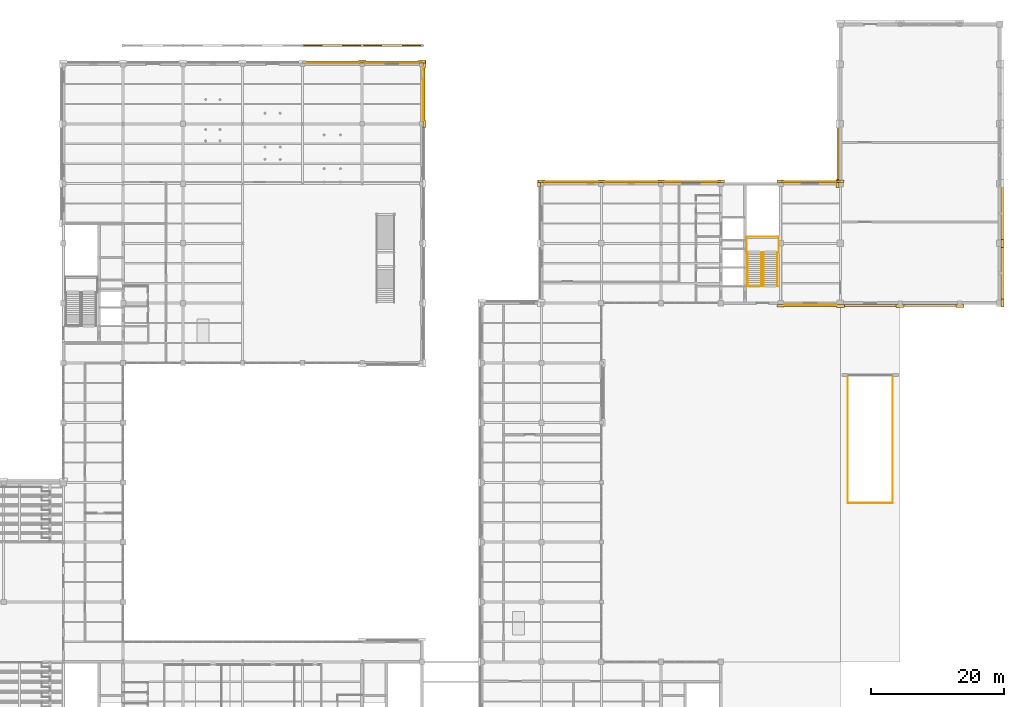
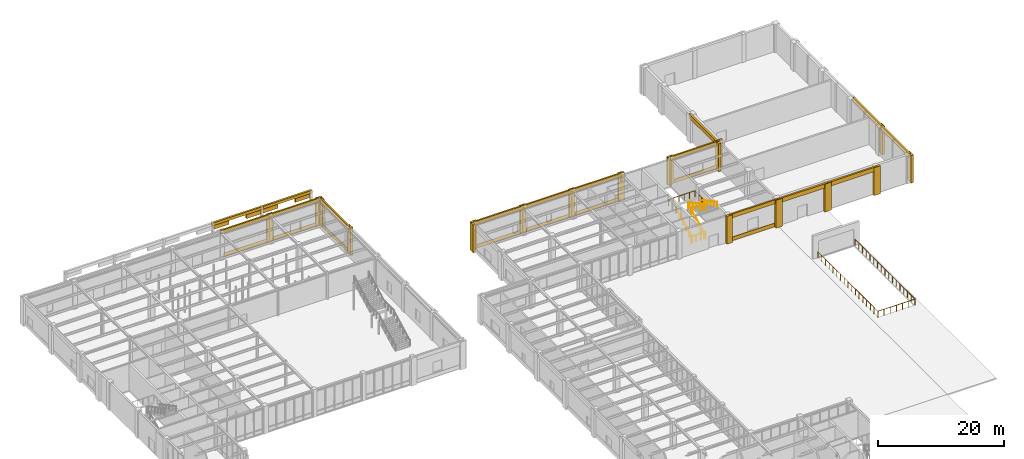
# One storey, part 76 of 77: 45 coverings, 6 railings.
"""IFC4 building model written with IfcOpenShell, lengths in metres."""

from ifc_helpers import new_model, si_unit, direction, frame, origin, origin_2d, place, context, subcontext, project, spatial, rectangle, circle, extrude, material, layer, layer_set, type_object, element, save


model = new_model("IFC4")

# Units and contexts
model_context = context("Model", 3, precision=1e-05, world=origin(), true_north=direction((0.0, 1.0)))
body_context = subcontext(model_context, "Body", "Model", "MODEL_VIEW")
ifc_project = project(units=[si_unit("LENGTHUNIT", "METRE"), si_unit("AREAUNIT", "SQUARE_METRE"), si_unit("VOLUMEUNIT", "CUBIC_METRE"), si_unit("PLANEANGLEUNIT", "RADIAN"), si_unit("MASSUNIT", "GRAM", prefix="KILO")], contexts=[model_context])

# Site, building, storey
site_placement = place(None, origin())
site = spatial("IfcSite", under=ifc_project, at=site_placement, CompositionType="ELEMENT")
building_placement = place(site_placement, origin())
building = spatial("IfcBuilding", under=site, at=building_placement, Name="Lykobir Media Centre", CompositionType="ELEMENT")
storey_placement = place(building_placement, origin())
storey = spatial("IfcBuildingStorey", under=building, at=storey_placement, Name="L00", CompositionType="ELEMENT", Elevation=0.0)

# Coverings
ifc_material_1 = material(Name="Honed Travertine Stone", Category="masonry")
ifc_layer = layer(ifc_material_1, 0.050048828125, Name="Honed Travertine Stone")
ifc_layer_set = layer_set([ifc_layer], Name="Honed Travertine Stone")
covering_type = type_object("IfcCoveringType", Name="CLD-TRAV", PredefinedType="CLADDING", material=ifc_layer_set)
covering_1_placement = place(storey_placement, frame((148.5, 71.639892578125, 4.56005859375), z_axis=(0.0, 0.0, 1.0), x_axis=(1.0, 0.0, 0.0)))
element("IfcCovering", 1, at=covering_1_placement, inside=storey, type_object=covering_type, Name="Acoustic hall cornice band 1", PredefinedType="CLADDING", context=body_context, shape_type="SweptSolid", body=[
    extrude(rectangle(XDim=9.0, YDim=0.340087890625, at=origin_2d()), origin(), (0.0, 0.0, 1.0), 0.840087890625),
])
for number, where, z_axis, x_axis, name in (
    (2, (144.0, 71.580078125, 0.0), (0.0, 0.0, 1.0), (1.0, 0.0, 0.0), "Stone pilaster 2"),
    (3, (153.0, 71.580078125, 0.0), (0.0, 0.0, 1.0), (1.0, 0.0, 0.0), "Stone pilaster 3"),
):
    element("IfcCovering", number, at=place(storey_placement, frame(where, z_axis=z_axis, x_axis=x_axis)), inside=storey, type_object=covering_type, Name=name, PredefinedType="CLADDING", context=body_context, shape_type="SweptSolid", body=[
        extrude(rectangle(XDim=1.179931640625, YDim=0.43994140625, at=origin_2d()), origin(), (0.0, 0.0, 1.0), 5.39990234375),
    ])
covering_2_placement = place(storey_placement, frame((157.5, 71.639892578125, 4.56005859375), z_axis=(0.0, 0.0, 1.0), x_axis=(1.0, 0.0, 0.0)))
element("IfcCovering", 4, at=covering_2_placement, inside=storey, type_object=covering_type, Name="Acoustic hall cornice band 4", PredefinedType="CLADDING", context=body_context, shape_type="SweptSolid", body=[
    extrude(rectangle(XDim=9.0, YDim=0.340087890625, at=origin_2d()), origin(), (0.0, 0.0, 1.0), 0.840087890625),
])
covering_3_placement = place(storey_placement, frame((162.0, 71.580078125, 0.0), z_axis=(0.0, 0.0, 1.0), x_axis=(1.0, 0.0, 0.0)))
element("IfcCovering", 5, at=covering_3_placement, inside=storey, type_object=covering_type, Name="Stone pilaster 5", PredefinedType="CLADDING", context=body_context, shape_type="SweptSolid", body=[
    extrude(rectangle(XDim=1.179931640625, YDim=0.43994140625, at=origin_2d()), origin(), (0.0, 0.0, 1.0), 5.39990234375),
])
covering_4_placement = place(storey_placement, frame((168.360107421875, 76.5, 4.56005859375), z_axis=(0.0, 0.0, 1.0), x_axis=(0.0, 1.0, 0.0)))
element("IfcCovering", 6, at=covering_4_placement, inside=storey, type_object=covering_type, Name="Acoustic hall cornice band 6", PredefinedType="CLADDING", context=body_context, shape_type="SweptSolid", body=[
    extrude(rectangle(XDim=9.0, YDim=0.340087890625, at=origin_2d()), origin(), (0.0, 0.0, 1.0), 0.840087890625),
])
for number, where, z_axis, x_axis, name in (
    (7, (168.419921875, 72.0, 0.0), (0.0, 0.0, 1.0), (0.0, 1.0, 0.0), "Stone pilaster 7"),
    (8, (168.419921875, 81.0, 0.0), (0.0, 0.0, 1.0), (0.0, 1.0, 0.0), "Stone pilaster 8"),
):
    element("IfcCovering", number, at=place(storey_placement, frame(where, z_axis=z_axis, x_axis=x_axis)), inside=storey, type_object=covering_type, Name=name, PredefinedType="CLADDING", context=body_context, shape_type="SweptSolid", body=[
        extrude(rectangle(XDim=1.179931640625, YDim=0.43994140625, at=origin_2d()), origin(), (0.0, 0.0, 1.0), 5.39990234375),
    ])
for number, where, z_axis, x_axis, name in (
    (9, (168.360107421875, 85.5, 4.56005859375), (0.0, 0.0, 1.0), (0.0, 1.0, 0.0), "Acoustic hall cornice band 9"),
    (10, (143.639892578125, 94.5, 4.56005859375), (0.0, 0.0, 1.0), (0.0, -1.0, 0.0), "Acoustic hall cornice band 20"),
):
    element("IfcCovering", number, at=place(storey_placement, frame(where, z_axis=z_axis, x_axis=x_axis)), inside=storey, type_object=covering_type, Name=name, PredefinedType="CLADDING", context=body_context, shape_type="SweptSolid", body=[
        extrude(rectangle(XDim=9.0, YDim=0.340087890625, at=origin_2d()), origin(), (0.0, 0.0, 1.0), 0.840087890625),
    ])
covering_5_placement = place(storey_placement, frame((143.580078125, 90.0, 0.0), z_axis=(0.0, 0.0, 1.0), x_axis=(0.0, -1.0, 0.0)))
element("IfcCovering", 11, at=covering_5_placement, inside=storey, type_object=covering_type, Name="Stone pilaster 22", PredefinedType="CLADDING", context=body_context, shape_type="SweptSolid", body=[
    extrude(rectangle(XDim=1.179931640625, YDim=0.43994140625, at=origin_2d()), origin(), (0.0, 0.0, 1.0), 5.39990234375),
])
for number, where, z_axis, x_axis, name in (
    (12, (108.0, 90.3798828125, 0.0), (0.0, 0.0, 1.0), (-1.0, 0.0, 0.0), "Travertine column pier 25"),
    (13, (99.0, 90.3798828125, 0.0), (0.0, 0.0, 1.0), (-1.0, 0.0, 0.0), "Travertine column pier 26"),
):
    element("IfcCovering", number, at=place(storey_placement, frame(where, z_axis=z_axis, x_axis=x_axis)), inside=storey, type_object=covering_type, Name=name, PredefinedType="CLADDING", context=body_context, shape_type="SweptSolid", body=[
        extrude(rectangle(XDim=1.06005859375, YDim=0.39990234375, at=origin_2d()), origin(), (0.0, 0.0, 1.0), 5.39990234375),
    ])
covering_6_placement = place(storey_placement, frame((103.5, 90.300048828125, 4.64013671875), z_axis=(0.0, 0.0, 1.0), x_axis=(-1.0, 0.0, 0.0)))
element("IfcCovering", 14, at=covering_6_placement, inside=storey, type_object=covering_type, Name="Travertine spandrel stringcourse 27", PredefinedType="CLADDING", context=body_context, shape_type="SweptSolid", body=[
    extrude(rectangle(XDim=9.0, YDim=0.280029296875, at=origin_2d()), origin(), (0.0, 0.0, 1.0), 0.760009765625),
])
covering_7_placement = place(storey_placement, frame((103.5, 90.23095703125, 0.080078125), z_axis=(0.0, 0.0, 1.0), x_axis=(-1.0, 0.0, 0.0)))
element("IfcCovering", 15, at=covering_7_placement, inside=storey, type_object=covering_type, Name="Facade spandrel apron 28", PredefinedType="CLADDING", context=body_context, shape_type="SweptSolid", body=[
    extrude(rectangle(XDim=7.8798828125, YDim=0.110107421875, at=origin_2d()), origin(), (0.0, 0.0, 1.0), 0.719970703125),
])
covering_8_placement = place(storey_placement, frame((117.0, 90.3798828125, 0.0), z_axis=(0.0, 0.0, 1.0), x_axis=(-1.0, 0.0, 0.0)))
element("IfcCovering", 16, at=covering_8_placement, inside=storey, type_object=covering_type, Name="Travertine column pier 29", PredefinedType="CLADDING", context=body_context, shape_type="SweptSolid", body=[
    extrude(rectangle(XDim=1.06005859375, YDim=0.39990234375, at=origin_2d()), origin(), (0.0, 0.0, 1.0), 5.39990234375),
])
covering_9_placement = place(storey_placement, frame((112.5, 90.300048828125, 4.64013671875), z_axis=(0.0, 0.0, 1.0), x_axis=(-1.0, 0.0, 0.0)))
element("IfcCovering", 17, at=covering_9_placement, inside=storey, type_object=covering_type, Name="Travertine spandrel stringcourse 30", PredefinedType="CLADDING", context=body_context, shape_type="SweptSolid", body=[
    extrude(rectangle(XDim=9.0, YDim=0.280029296875, at=origin_2d()), origin(), (0.0, 0.0, 1.0), 0.760009765625),
])
covering_10_placement = place(storey_placement, frame((112.5, 90.23095703125, 0.080078125), z_axis=(0.0, 0.0, 1.0), x_axis=(-1.0, 0.0, 0.0)))
element("IfcCovering", 18, at=covering_10_placement, inside=storey, type_object=covering_type, Name="Facade spandrel apron 31", PredefinedType="CLADDING", context=body_context, shape_type="SweptSolid", body=[
    extrude(rectangle(XDim=7.830078125, YDim=0.110107421875, at=origin_2d()), origin(), (0.0, 0.0, 1.0), 0.719970703125),
])
covering_11_placement = place(storey_placement, frame((126.0, 90.3798828125, 0.0), z_axis=(0.0, 0.0, 1.0), x_axis=(-1.0, 0.0, 0.0)))
element("IfcCovering", 19, at=covering_11_placement, inside=storey, type_object=covering_type, Name="Travertine column pier 32", PredefinedType="CLADDING", context=body_context, shape_type="SweptSolid", body=[
    extrude(rectangle(XDim=1.06005859375, YDim=0.39990234375, at=origin_2d()), origin(), (0.0, 0.0, 1.0), 5.39990234375),
])
covering_12_placement = place(storey_placement, frame((121.5, 90.300048828125, 4.64013671875), z_axis=(0.0, 0.0, 1.0), x_axis=(-1.0, 0.0, 0.0)))
element("IfcCovering", 20, at=covering_12_placement, inside=storey, type_object=covering_type, Name="Travertine spandrel stringcourse 33", PredefinedType="CLADDING", context=body_context, shape_type="SweptSolid", body=[
    extrude(rectangle(XDim=9.0, YDim=0.280029296875, at=origin_2d()), origin(), (0.0, 0.0, 1.0), 0.760009765625),
])
covering_13_placement = place(storey_placement, frame((121.5, 90.23095703125, 0.080078125), z_axis=(0.0, 0.0, 1.0), x_axis=(-1.0, 0.0, 0.0)))
element("IfcCovering", 21, at=covering_13_placement, inside=storey, type_object=covering_type, Name="Facade spandrel apron 34", PredefinedType="CLADDING", context=body_context, shape_type="SweptSolid", body=[
    extrude(rectangle(XDim=7.830078125, YDim=0.110107421875, at=origin_2d()), origin(), (0.0, 0.0, 1.0), 0.719970703125),
])
for number, where, z_axis, x_axis, name in (
    (22, (144.0, 90.3798828125, 0.0), (0.0, 0.0, 1.0), (-1.0, 0.0, 0.0), "Travertine column pier 35"),
    (23, (135.0, 90.3798828125, 0.0), (0.0, 0.0, 1.0), (-1.0, 0.0, 0.0), "Travertine column pier 36"),
):
    element("IfcCovering", number, at=place(storey_placement, frame(where, z_axis=z_axis, x_axis=x_axis)), inside=storey, type_object=covering_type, Name=name, PredefinedType="CLADDING", context=body_context, shape_type="SweptSolid", body=[
        extrude(rectangle(XDim=1.06005859375, YDim=0.39990234375, at=origin_2d()), origin(), (0.0, 0.0, 1.0), 5.39990234375),
    ])
covering_14_placement = place(storey_placement, frame((139.5, 90.300048828125, 4.64013671875), z_axis=(0.0, 0.0, 1.0), x_axis=(-1.0, 0.0, 0.0)))
element("IfcCovering", 24, at=covering_14_placement, inside=storey, type_object=covering_type, Name="Travertine spandrel stringcourse 37", PredefinedType="CLADDING", context=body_context, shape_type="SweptSolid", body=[
    extrude(rectangle(XDim=9.0, YDim=0.280029296875, at=origin_2d()), origin(), (0.0, 0.0, 1.0), 0.760009765625),
])
covering_15_placement = place(storey_placement, frame((139.5, 90.23095703125, 0.080078125), z_axis=(0.0, 0.0, 1.0), x_axis=(-1.0, 0.0, 0.0)))
element("IfcCovering", 25, at=covering_15_placement, inside=storey, type_object=covering_type, Name="Facade spandrel apron 38", PredefinedType="CLADDING", context=body_context, shape_type="SweptSolid", body=[
    extrude(rectangle(XDim=7.72998046875, YDim=0.110107421875, at=origin_2d()), origin(), (0.0, 0.0, 1.0), 0.719970703125),
])
for number, where, z_axis, x_axis, name in (
    (26, (98.6201171875, 90.0, 0.0), (0.0, 0.0, 1.0), (0.0, -1.0, 0.0), "Travertine column pier 43"),
    (27, (135.0, 71.6201171875, 0.0), (0.0, 0.0, 1.0), (1.0, 0.0, 0.0), "Travertine column pier 89"),
):
    element("IfcCovering", number, at=place(storey_placement, frame(where, z_axis=z_axis, x_axis=x_axis)), inside=storey, type_object=covering_type, Name=name, PredefinedType="CLADDING", context=body_context, shape_type="SweptSolid", body=[
        extrude(rectangle(XDim=1.06005859375, YDim=0.39990234375, at=origin_2d()), origin(), (0.0, 0.0, 1.0), 5.39990234375),
    ])
covering_16_placement = place(storey_placement, frame((139.5, 71.699951171875, 4.64013671875), z_axis=(0.0, 0.0, 1.0), x_axis=(1.0, 0.0, 0.0)))
element("IfcCovering", 28, at=covering_16_placement, inside=storey, type_object=covering_type, Name="Travertine spandrel stringcourse 90", PredefinedType="CLADDING", context=body_context, shape_type="SweptSolid", body=[
    extrude(rectangle(XDim=9.0, YDim=0.280029296875, at=origin_2d()), origin(), (0.0, 0.0, 1.0), 0.760009765625),
])
covering_17_placement = place(storey_placement, frame((139.5, 71.76904296875, 0.080078125), z_axis=(0.0, 0.0, 1.0), x_axis=(1.0, 0.0, 0.0)))
element("IfcCovering", 29, at=covering_17_placement, inside=storey, type_object=covering_type, Name="Facade spandrel apron 91", PredefinedType="CLADDING", context=body_context, shape_type="SweptSolid", body=[
    extrude(rectangle(XDim=7.72998046875, YDim=0.110107421875, at=origin_2d()), origin(), (0.0, 0.0, 1.0), 0.719970703125),
])
for number, where, z_axis, x_axis, name in (
    (30, (81.3798828125, 99.0, 0.0), (0.0, 0.0, 1.0), (0.0, 1.0, 0.0), "Travertine column pier 110"),
    (31, (81.3798828125, 108.0, 0.0), (0.0, 0.0, 1.0), (0.0, 1.0, 0.0), "Travertine column pier 113"),
):
    element("IfcCovering", number, at=place(storey_placement, frame(where, z_axis=z_axis, x_axis=x_axis)), inside=storey, type_object=covering_type, Name=name, PredefinedType="CLADDING", context=body_context, shape_type="SweptSolid", body=[
        extrude(rectangle(XDim=1.06005859375, YDim=0.39990234375, at=origin_2d()), origin(), (0.0, 0.0, 1.0), 5.39990234375),
    ])
covering_18_placement = place(storey_placement, frame((81.300048828125, 103.5, 4.64013671875), z_axis=(0.0, 0.0, 1.0), x_axis=(0.0, 1.0, 0.0)))
element("IfcCovering", 32, at=covering_18_placement, inside=storey, type_object=covering_type, Name="Travertine spandrel stringcourse 114", PredefinedType="CLADDING", context=body_context, shape_type="SweptSolid", body=[
    extrude(rectangle(XDim=9.0, YDim=0.280029296875, at=origin_2d()), origin(), (0.0, 0.0, 1.0), 0.760009765625),
])
covering_19_placement = place(storey_placement, frame((81.23095703125, 103.5, 0.080078125), z_axis=(0.0, 0.0, 1.0), x_axis=(0.0, 1.0, 0.0)))
element("IfcCovering", 33, at=covering_19_placement, inside=storey, type_object=covering_type, Name="Facade spandrel apron 115", PredefinedType="CLADDING", context=body_context, shape_type="SweptSolid", body=[
    extrude(rectangle(XDim=7.929931640625, YDim=0.110107421875, at=origin_2d()), origin(), (0.0, 0.0, 1.0), 0.719970703125),
])
covering_20_placement = place(storey_placement, frame((72.0, 108.3798828125, 0.0), z_axis=(0.0, 0.0, 1.0), x_axis=(-1.0, 0.0, 0.0)))
element("IfcCovering", 34, at=covering_20_placement, inside=storey, type_object=covering_type, Name="Travertine column pier 129", PredefinedType="CLADDING", context=body_context, shape_type="SweptSolid", body=[
    extrude(rectangle(XDim=1.06005859375, YDim=0.39990234375, at=origin_2d()), origin(), (0.0, 0.0, 1.0), 5.39990234375),
])
covering_21_placement = place(storey_placement, frame((67.5, 108.300048828125, 4.64013671875), z_axis=(0.0, 0.0, 1.0), x_axis=(-1.0, 0.0, 0.0)))
element("IfcCovering", 35, at=covering_21_placement, inside=storey, type_object=covering_type, Name="Travertine spandrel stringcourse 130", PredefinedType="CLADDING", context=body_context, shape_type="SweptSolid", body=[
    extrude(rectangle(XDim=9.0, YDim=0.280029296875, at=origin_2d()), origin(), (0.0, 0.0, 1.0), 0.760009765625),
])
covering_22_placement = place(storey_placement, frame((67.5, 108.23095703125, 0.080078125), z_axis=(0.0, 0.0, 1.0), x_axis=(-1.0, 0.0, 0.0)))
element("IfcCovering", 36, at=covering_22_placement, inside=storey, type_object=covering_type, Name="Facade spandrel apron 131", PredefinedType="CLADDING", context=body_context, shape_type="SweptSolid", body=[
    extrude(rectangle(XDim=7.929931640625, YDim=0.110107421875, at=origin_2d()), origin(), (0.0, 0.0, 1.0), 0.719970703125),
])
covering_23_placement = place(storey_placement, frame((81.0, 108.3798828125, 0.0), z_axis=(0.0, 0.0, 1.0), x_axis=(-1.0, 0.0, 0.0)))
element("IfcCovering", 37, at=covering_23_placement, inside=storey, type_object=covering_type, Name="Travertine column pier 132", PredefinedType="CLADDING", context=body_context, shape_type="SweptSolid", body=[
    extrude(rectangle(XDim=1.06005859375, YDim=0.39990234375, at=origin_2d()), origin(), (0.0, 0.0, 1.0), 5.39990234375),
])
covering_24_placement = place(storey_placement, frame((76.5, 108.300048828125, 4.64013671875), z_axis=(0.0, 0.0, 1.0), x_axis=(-1.0, 0.0, 0.0)))
element("IfcCovering", 38, at=covering_24_placement, inside=storey, type_object=covering_type, Name="Travertine spandrel stringcourse 133", PredefinedType="CLADDING", context=body_context, shape_type="SweptSolid", body=[
    extrude(rectangle(XDim=9.0, YDim=0.280029296875, at=origin_2d()), origin(), (0.0, 0.0, 1.0), 0.760009765625),
])
covering_25_placement = place(storey_placement, frame((76.5, 108.23095703125, 0.080078125), z_axis=(0.0, 0.0, 1.0), x_axis=(-1.0, 0.0, 0.0)))
element("IfcCovering", 39, at=covering_25_placement, inside=storey, type_object=covering_type, Name="Facade spandrel apron 134", PredefinedType="CLADDING", context=body_context, shape_type="SweptSolid", body=[
    extrude(rectangle(XDim=7.929931640625, YDim=0.110107421875, at=origin_2d()), origin(), (0.0, 0.0, 1.0), 0.719970703125),
])
covering_26_placement = place(storey_placement, frame((67.5, 110.800048828125, 4.830078125), z_axis=(0.0, 0.0, 1.0), x_axis=(1.0, 0.0, 0.0)))
element("IfcCovering", 40, at=covering_26_placement, inside=storey, type_object=covering_type, Name="North Revak entablature 984", PredefinedType="CLADDING", context=body_context, shape_type="SweptSolid", body=[
    extrude(rectangle(XDim=9.39990234375, YDim=0.340087890625, at=origin_2d()), origin(), (0.0, 0.0, 1.0), 0.5400390625),
])
for number, where, z_axis, x_axis, name in (
    (41, (64.550048828125, 110.800048828125, 4.0498046875), (0.0, 0.0, 1.0), (1.0, 0.0, 0.0), "North Revak pointed arch haunch 985"),
    (42, (70.449951171875, 110.800048828125, 4.0498046875), (0.0, 0.0, 1.0), (1.0, 0.0, 0.0), "North Revak pointed arch haunch 986"),
):
    element("IfcCovering", number, at=place(storey_placement, frame(where, z_axis=z_axis, x_axis=x_axis)), inside=storey, type_object=covering_type, Name=name, PredefinedType="CLADDING", context=body_context, shape_type="SweptSolid", body=[
        extrude(rectangle(XDim=2.699951171875, YDim=0.300048828125, at=origin_2d()), origin(), (0.0, 0.0, 1.0), 0.800048828125),
    ])
covering_27_placement = place(storey_placement, frame((76.5, 110.800048828125, 4.830078125), z_axis=(0.0, 0.0, 1.0), x_axis=(1.0, 0.0, 0.0)))
element("IfcCovering", 43, at=covering_27_placement, inside=storey, type_object=covering_type, Name="North Revak entablature 987", PredefinedType="CLADDING", context=body_context, shape_type="SweptSolid", body=[
    extrude(rectangle(XDim=9.39990234375, YDim=0.340087890625, at=origin_2d()), origin(), (0.0, 0.0, 1.0), 0.5400390625),
])
for number, where, z_axis, x_axis, name in (
    (44, (73.550048828125, 110.800048828125, 4.0498046875), (0.0, 0.0, 1.0), (1.0, 0.0, 0.0), "North Revak pointed arch haunch 988"),
    (45, (79.449951171875, 110.800048828125, 4.0498046875), (0.0, 0.0, 1.0), (1.0, 0.0, 0.0), "North Revak pointed arch haunch 989"),
):
    element("IfcCovering", number, at=place(storey_placement, frame(where, z_axis=z_axis, x_axis=x_axis)), inside=storey, type_object=covering_type, Name=name, PredefinedType="CLADDING", context=body_context, shape_type="SweptSolid", body=[
        extrude(rectangle(XDim=2.699951171875, YDim=0.300048828125, at=origin_2d()), origin(), (0.0, 0.0, 1.0), 0.800048828125),
    ])

# Railings
ifc_material_2 = material(Name="Steel S355", Category="steel")
railing_type_1 = type_object("IfcRailingType", Name="GR-1200", PredefinedType="BALUSTRADE", material=ifc_material_2)
railing_1_placement = place(storey_placement, frame((129.8701171875, 74.6298828125, 0.0)))
element("IfcRailing", 46, at=railing_1_placement, inside=storey, type_object=railing_type_1, Name="ST-4 L00 arrival well guard", PredefinedType="BALUSTRADE", context=body_context, shape_type="SweptSolid", body=[
    extrude(circle(Radius=0.02392578125, at=origin_2d()), frame((0.0, 0.0, 1.17578125), z_axis=(1.0, 0.0, 0.0), x_axis=(0.0, 1.0, 0.0)), (0.0, 0.0, 1.0), 2.539794921875),
    extrude(circle(Radius=0.02099609375, at=origin_2d()), origin(), (0.0, 0.0, 1.0), 1.15185546875),
    extrude(circle(Radius=0.02099609375, at=origin_2d()), frame((0.8466796875, 0.0, 0.0)), (0.0, 0.0, 1.0), 1.15185546875),
    extrude(circle(Radius=0.02099609375, at=origin_2d()), frame((1.693115234375, 0.0, 0.0)), (0.0, 0.0, 1.0), 1.15185546875),
    extrude(circle(Radius=0.02099609375, at=origin_2d()), frame((2.539794921875, 0.0, 0.0)), (0.0, 0.0, 1.0), 1.15185546875),
])
railing_2_placement = place(storey_placement, frame((132.1298828125, 74.530029296875, 0.0)))
element("IfcRailing", 47, at=railing_2_placement, inside=storey, type_object=railing_type_1, Name="ST-4 L00 inner well and slot guard", PredefinedType="BALUSTRADE", context=body_context, shape_type="SweptSolid", body=[
    extrude(circle(Radius=0.02392578125, at=origin_2d()), frame((0.0, 0.0, 1.17578125), z_axis=(0.0, 0.883785858079, 0.467891608238), x_axis=(-1.0, 0.0, 0.0)), (0.0, 0.0, 1.0), 5.7705078125),
    extrude(circle(Radius=0.02392578125, at=origin_2d()), frame((0.0, 5.099853515625, 3.8759765625), z_axis=(1.0, 0.0, 0.0), x_axis=(0.0, 1.0, 0.0)), (0.0, 0.0, 1.0), 0.280029296875),
    extrude(circle(Radius=0.02392578125, at=origin_2d()), frame((0.280029296875, 5.099853515625, 3.8759765625), z_axis=(0.0, -0.883785858079, 0.467891608238), x_axis=(1.0, 0.0, 0.0)), (0.0, 0.0, 1.0), 5.7705078125),
    extrude(circle(Radius=0.02099609375, at=origin_2d()), origin(), (0.0, 0.0, 1.0), 1.15185546875),
    extrude(circle(Radius=0.02099609375, at=origin_2d()), frame((0.0, 1.02001953125, 0.5400390625)), (0.0, 0.0, 1.0), 1.15185546875),
    extrude(circle(Radius=0.02099609375, at=origin_2d()), frame((0.0, 2.0400390625, 1.080078125)), (0.0, 0.0, 1.0), 1.15185546875),
    extrude(circle(Radius=0.02099609375, at=origin_2d()), frame((0.0, 3.059814453125, 1.619873046875)), (0.0, 0.0, 1.0), 1.15185546875),
    extrude(circle(Radius=0.02099609375, at=origin_2d()), frame((0.0, 4.079833984375, 2.159912109375)), (0.0, 0.0, 1.0), 1.15185546875),
    extrude(circle(Radius=0.02099609375, at=origin_2d()), frame((0.0, 5.099853515625, 2.699951171875)), (0.0, 0.0, 1.0), 1.15185546875),
    extrude(circle(Radius=0.02099609375, at=origin_2d()), frame((0.280029296875, 5.099853515625, 2.699951171875)), (0.0, 0.0, 1.0), 1.15185546875),
    extrude(circle(Radius=0.02099609375, at=origin_2d()), frame((0.280029296875, 4.079833984375, 3.239990234375)), (0.0, 0.0, 1.0), 1.15185546875),
    extrude(circle(Radius=0.02099609375, at=origin_2d()), frame((0.280029296875, 3.059814453125, 3.780029296875)), (0.0, 0.0, 1.0), 1.15185546875),
    extrude(circle(Radius=0.02099609375, at=origin_2d()), frame((0.280029296875, 2.0400390625, 4.31982421875)), (0.0, 0.0, 1.0), 1.15185546875),
    extrude(circle(Radius=0.02099609375, at=origin_2d()), frame((0.280029296875, 1.02001953125, 4.85986328125)), (0.0, 0.0, 1.0), 1.15185546875),
    extrude(circle(Radius=0.02099609375, at=origin_2d()), frame((0.280029296875, 0.0, 5.39990234375)), (0.0, 0.0, 1.0), 1.15185546875),
])
railing_3_placement = place(storey_placement, frame((129.989990234375, 79.590087890625, 2.699951171875)))
element("IfcRailing", 48, at=railing_3_placement, inside=storey, type_object=railing_type_1, Name="ST-4 L00 half-landing perimeter guard", PredefinedType="BALUSTRADE", context=body_context, shape_type="SweptSolid", body=[
    extrude(circle(Radius=0.02392578125, at=origin_2d()), frame((0.0, 0.0, 1.17578125), z_axis=(-1.0, 0.0, 0.0), x_axis=(0.0, -1.0, 0.0)), (0.0, 0.0, 1.0), 0.110107421875),
    extrude(circle(Radius=0.02392578125, at=origin_2d()), frame((-0.110107421875, 0.0, 1.17578125), z_axis=(0.0, 1.0, 0.0), x_axis=(-1.0, 0.0, 0.0)), (0.0, 0.0, 1.0), 2.39990234375),
    extrude(circle(Radius=0.02392578125, at=origin_2d()), frame((-0.110107421875, 2.39990234375, 1.17578125), z_axis=(1.0, 0.0, 0.0), x_axis=(0.0, 1.0, 0.0)), (0.0, 0.0, 1.0), 4.840087890625),
    extrude(circle(Radius=0.02392578125, at=origin_2d()), frame((4.72998046875, 2.39990234375, 1.17578125), z_axis=(0.0, -1.0, 0.0), x_axis=(1.0, 0.0, 0.0)), (0.0, 0.0, 1.0), 2.39990234375),
    extrude(circle(Radius=0.02392578125, at=origin_2d()), frame((4.72998046875, 0.0, 1.17578125), z_axis=(-1.0, 0.0, 0.0), x_axis=(0.0, -1.0, 0.0)), (0.0, 0.0, 1.0), 0.169921875),
    extrude(circle(Radius=0.02099609375, at=origin_2d()), origin(), (0.0, 0.0, 1.0), 1.15185546875),
    extrude(circle(Radius=0.02099609375, at=origin_2d()), frame((-0.110107421875, 0.0, 0.0)), (0.0, 0.0, 1.0), 1.15185546875),
    extrude(circle(Radius=0.02099609375, at=origin_2d()), frame((-0.110107421875, 1.199951171875, 0.0)), (0.0, 0.0, 1.0), 1.15185546875),
    extrude(circle(Radius=0.02099609375, at=origin_2d()), frame((-0.110107421875, 2.39990234375, 0.0)), (0.0, 0.0, 1.0), 1.15185546875),
    extrude(circle(Radius=0.02099609375, at=origin_2d()), frame((0.85791015625, 2.39990234375, 0.0)), (0.0, 0.0, 1.0), 1.15185546875),
    extrude(circle(Radius=0.02099609375, at=origin_2d()), frame((1.825927734375, 2.39990234375, 0.0)), (0.0, 0.0, 1.0), 1.15185546875),
    extrude(circle(Radius=0.02099609375, at=origin_2d()), frame((2.7939453125, 2.39990234375, 0.0)), (0.0, 0.0, 1.0), 1.15185546875),
    extrude(circle(Radius=0.02099609375, at=origin_2d()), frame((3.761962890625, 2.39990234375, 0.0)), (0.0, 0.0, 1.0), 1.15185546875),
    extrude(circle(Radius=0.02099609375, at=origin_2d()), frame((4.72998046875, 2.39990234375, 0.0)), (0.0, 0.0, 1.0), 1.15185546875),
    extrude(circle(Radius=0.02099609375, at=origin_2d()), frame((4.72998046875, 1.199951171875, 0.0)), (0.0, 0.0, 1.0), 1.15185546875),
    extrude(circle(Radius=0.02099609375, at=origin_2d()), frame((4.72998046875, 0.0, 0.0)), (0.0, 0.0, 1.0), 1.15185546875),
    extrude(circle(Radius=0.02099609375, at=origin_2d()), frame((4.56005859375, 0.0, 0.0)), (0.0, 0.0, 1.0), 1.15185546875),
])
railing_type_2 = type_object("IfcRailingType", Name="GR-EXT-1220", PredefinedType="BALUSTRADE", material=ifc_material_2)
railing_4_placement = place(storey_placement, frame((145.10009765625, 60.949951171875, 0.0)))
element("IfcRailing", 49, at=railing_4_placement, inside=storey, type_object=railing_type_2, Name="Service apron ramp well balustrade", PredefinedType="BALUSTRADE", context=body_context, shape_type="SweptSolid", body=[
    extrude(circle(Radius=0.02392578125, at=origin_2d()), frame((0.0, 0.0, 1.19580078125), z_axis=(0.0, -1.0, 0.0), x_axis=(1.0, 0.0, 0.0)), (0.0, 0.0, 1.0), 19.030029296875),
    extrude(circle(Radius=0.02392578125, at=origin_2d()), frame((0.0, -19.030029296875, 1.19580078125), z_axis=(1.0, 0.0, 0.0), x_axis=(0.0, 1.0, 0.0)), (0.0, 0.0, 1.0), 6.7998046875),
    extrude(circle(Radius=0.02392578125, at=origin_2d()), frame((6.7998046875, -19.030029296875, 1.19580078125), z_axis=(0.0, 1.0, 0.0), x_axis=(-1.0, 0.0, 0.0)), (0.0, 0.0, 1.0), 19.030029296875),
    extrude(circle(Radius=0.02099609375, at=origin_2d()), origin(), (0.0, 0.0, 1.0), 1.171875),
    extrude(circle(Radius=0.02099609375, at=origin_2d()), frame((0.0, -1.189453125, 0.0)), (0.0, 0.0, 1.0), 1.171875),
    extrude(circle(Radius=0.02099609375, at=origin_2d()), frame((0.0, -2.378662109375, 0.0)), (0.0, 0.0, 1.0), 1.171875),
    extrude(circle(Radius=0.02099609375, at=origin_2d()), frame((0.0, -3.568115234375, 0.0)), (0.0, 0.0, 1.0), 1.171875),
    extrude(circle(Radius=0.02099609375, at=origin_2d()), frame((0.0, -4.757568359375, 0.0)), (0.0, 0.0, 1.0), 1.171875),
    extrude(circle(Radius=0.02099609375, at=origin_2d()), frame((0.0, -5.94677734375, 0.0)), (0.0, 0.0, 1.0), 1.171875),
    extrude(circle(Radius=0.02099609375, at=origin_2d()), frame((0.0, -7.13623046875, 0.0)), (0.0, 0.0, 1.0), 1.171875),
    extrude(circle(Radius=0.02099609375, at=origin_2d()), frame((0.0, -8.32568359375, 0.0)), (0.0, 0.0, 1.0), 1.171875),
    extrude(circle(Radius=0.02099609375, at=origin_2d()), frame((0.0, -9.51513671875, 0.0)), (0.0, 0.0, 1.0), 1.171875),
    extrude(circle(Radius=0.02099609375, at=origin_2d()), frame((0.0, -10.704345703125, 0.0)), (0.0, 0.0, 1.0), 1.171875),
    extrude(circle(Radius=0.02099609375, at=origin_2d()), frame((0.0, -11.893798828125, 0.0)), (0.0, 0.0, 1.0), 1.171875),
    extrude(circle(Radius=0.02099609375, at=origin_2d()), frame((0.0, -13.083251953125, 0.0)), (0.0, 0.0, 1.0), 1.171875),
    extrude(circle(Radius=0.02099609375, at=origin_2d()), frame((0.0, -14.2724609375, 0.0)), (0.0, 0.0, 1.0), 1.171875),
    extrude(circle(Radius=0.02099609375, at=origin_2d()), frame((0.0, -15.4619140625, 0.0)), (0.0, 0.0, 1.0), 1.171875),
    extrude(circle(Radius=0.02099609375, at=origin_2d()), frame((0.0, -16.6513671875, 0.0)), (0.0, 0.0, 1.0), 1.171875),
    extrude(circle(Radius=0.02099609375, at=origin_2d()), frame((0.0, -17.840576171875, 0.0)), (0.0, 0.0, 1.0), 1.171875),
    extrude(circle(Radius=0.02099609375, at=origin_2d()), frame((0.0, -19.030029296875, 0.0)), (0.0, 0.0, 1.0), 1.171875),
    extrude(circle(Radius=0.02099609375, at=origin_2d()), frame((1.13330078125, -19.030029296875, 0.0)), (0.0, 0.0, 1.0), 1.171875),
    extrude(circle(Radius=0.02099609375, at=origin_2d()), frame((2.2666015625, -19.030029296875, 0.0)), (0.0, 0.0, 1.0), 1.171875),
    extrude(circle(Radius=0.02099609375, at=origin_2d()), frame((3.39990234375, -19.030029296875, 0.0)), (0.0, 0.0, 1.0), 1.171875),
    extrude(circle(Radius=0.02099609375, at=origin_2d()), frame((4.533203125, -19.030029296875, 0.0)), (0.0, 0.0, 1.0), 1.171875),
    extrude(circle(Radius=0.02099609375, at=origin_2d()), frame((5.66650390625, -19.030029296875, 0.0)), (0.0, 0.0, 1.0), 1.171875),
    extrude(circle(Radius=0.02099609375, at=origin_2d()), frame((6.7998046875, -19.030029296875, 0.0)), (0.0, 0.0, 1.0), 1.171875),
    extrude(circle(Radius=0.02099609375, at=origin_2d()), frame((6.7998046875, -17.840576171875, 0.0)), (0.0, 0.0, 1.0), 1.171875),
    extrude(circle(Radius=0.02099609375, at=origin_2d()), frame((6.7998046875, -16.6513671875, 0.0)), (0.0, 0.0, 1.0), 1.171875),
    extrude(circle(Radius=0.02099609375, at=origin_2d()), frame((6.7998046875, -15.4619140625, 0.0)), (0.0, 0.0, 1.0), 1.171875),
    extrude(circle(Radius=0.02099609375, at=origin_2d()), frame((6.7998046875, -14.2724609375, 0.0)), (0.0, 0.0, 1.0), 1.171875),
    extrude(circle(Radius=0.02099609375, at=origin_2d()), frame((6.7998046875, -13.083251953125, 0.0)), (0.0, 0.0, 1.0), 1.171875),
    extrude(circle(Radius=0.02099609375, at=origin_2d()), frame((6.7998046875, -11.893798828125, 0.0)), (0.0, 0.0, 1.0), 1.171875),
    extrude(circle(Radius=0.02099609375, at=origin_2d()), frame((6.7998046875, -10.704345703125, 0.0)), (0.0, 0.0, 1.0), 1.171875),
    extrude(circle(Radius=0.02099609375, at=origin_2d()), frame((6.7998046875, -9.51513671875, 0.0)), (0.0, 0.0, 1.0), 1.171875),
    extrude(circle(Radius=0.02099609375, at=origin_2d()), frame((6.7998046875, -8.32568359375, 0.0)), (0.0, 0.0, 1.0), 1.171875),
    extrude(circle(Radius=0.02099609375, at=origin_2d()), frame((6.7998046875, -7.13623046875, 0.0)), (0.0, 0.0, 1.0), 1.171875),
    extrude(circle(Radius=0.02099609375, at=origin_2d()), frame((6.7998046875, -5.94677734375, 0.0)), (0.0, 0.0, 1.0), 1.171875),
    extrude(circle(Radius=0.02099609375, at=origin_2d()), frame((6.7998046875, -4.757568359375, 0.0)), (0.0, 0.0, 1.0), 1.171875),
    extrude(circle(Radius=0.02099609375, at=origin_2d()), frame((6.7998046875, -3.568115234375, 0.0)), (0.0, 0.0, 1.0), 1.171875),
    extrude(circle(Radius=0.02099609375, at=origin_2d()), frame((6.7998046875, -2.378662109375, 0.0)), (0.0, 0.0, 1.0), 1.171875),
    extrude(circle(Radius=0.02099609375, at=origin_2d()), frame((6.7998046875, -1.189453125, 0.0)), (0.0, 0.0, 1.0), 1.171875),
    extrude(circle(Radius=0.02099609375, at=origin_2d()), frame((6.7998046875, 0.0, 0.0)), (0.0, 0.0, 1.0), 1.171875),
])
railing_type_3 = type_object("IfcRailingType", Name="HR-0900", PredefinedType="HANDRAIL", material=ifc_material_2)
railing_5_placement = place(storey_placement, frame((130.030029296875, 74.530029296875, 0.0)))
element("IfcRailing", 50, at=railing_5_placement, inside=storey, type_object=railing_type_3, Name="ST-4 L00 F1 wall handrail", PredefinedType="HANDRAIL", context=body_context, shape_type="SweptSolid", body=[
    extrude(circle(Radius=0.02392578125, at=origin_2d()), frame((0.0, 0.0, 0.8759765625), z_axis=(0.0, 0.883785858079, 0.467891608238), x_axis=(-1.0, 0.0, 0.0)), (0.0, 0.0, 1.0), 5.7705078125),
    extrude(circle(Radius=0.02099609375, at=origin_2d()), origin(), (0.0, 0.0, 1.0), 0.851806640625),
    extrude(circle(Radius=0.02099609375, at=origin_2d()), frame((0.0, 1.02001953125, 0.5400390625)), (0.0, 0.0, 1.0), 0.851806640625),
    extrude(circle(Radius=0.02099609375, at=origin_2d()), frame((0.0, 2.0400390625, 1.080078125)), (0.0, 0.0, 1.0), 0.851806640625),
    extrude(circle(Radius=0.02099609375, at=origin_2d()), frame((0.0, 3.059814453125, 1.619873046875)), (0.0, 0.0, 1.0), 0.851806640625),
    extrude(circle(Radius=0.02099609375, at=origin_2d()), frame((0.0, 4.079833984375, 2.159912109375)), (0.0, 0.0, 1.0), 0.851806640625),
    extrude(circle(Radius=0.02099609375, at=origin_2d()), frame((0.0, 5.099853515625, 2.699951171875)), (0.0, 0.0, 1.0), 0.851806640625),
])
railing_6_placement = place(storey_placement, frame((134.510009765625, 79.6298828125, 2.699951171875)))
element("IfcRailing", 51, at=railing_6_placement, inside=storey, type_object=railing_type_3, Name="ST-4 L00 F2 wall handrail", PredefinedType="HANDRAIL", context=body_context, shape_type="SweptSolid", body=[
    extrude(circle(Radius=0.02392578125, at=origin_2d()), frame((0.0, 0.0, 0.8759765625), z_axis=(0.0, -0.883785858079, 0.467891608238), x_axis=(1.0, 0.0, 0.0)), (0.0, 0.0, 1.0), 5.7705078125),
    extrude(circle(Radius=0.02099609375, at=origin_2d()), origin(), (0.0, 0.0, 1.0), 0.851806640625),
    extrude(circle(Radius=0.02099609375, at=origin_2d()), frame((0.0, -1.02001953125, 0.5400390625)), (0.0, 0.0, 1.0), 0.851806640625),
    extrude(circle(Radius=0.02099609375, at=origin_2d()), frame((0.0, -2.0400390625, 1.080078125)), (0.0, 0.0, 1.0), 0.851806640625),
    extrude(circle(Radius=0.02099609375, at=origin_2d()), frame((0.0, -3.059814453125, 1.619873046875)), (0.0, 0.0, 1.0), 0.851806640625),
    extrude(circle(Radius=0.02099609375, at=origin_2d()), frame((0.0, -4.079833984375, 2.159912109375)), (0.0, 0.0, 1.0), 0.851806640625),
    extrude(circle(Radius=0.02099609375, at=origin_2d()), frame((0.0, -5.099853515625, 2.699951171875)), (0.0, 0.0, 1.0), 0.851806640625),
])

save(model, "model.ifc")
